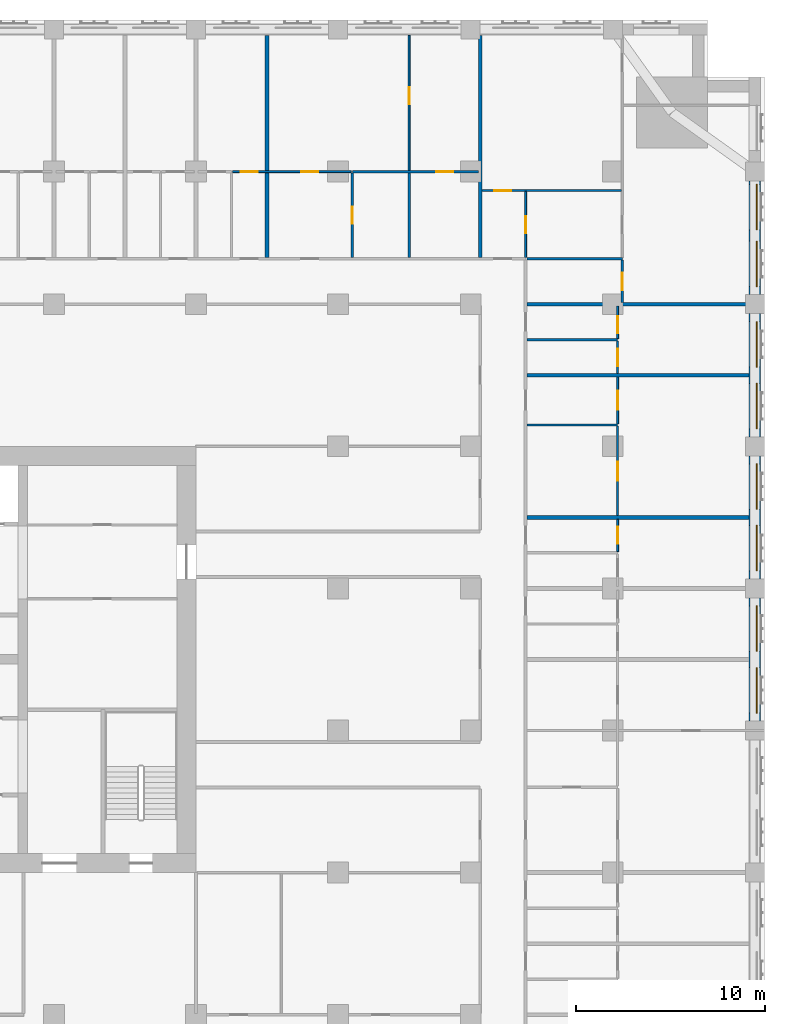
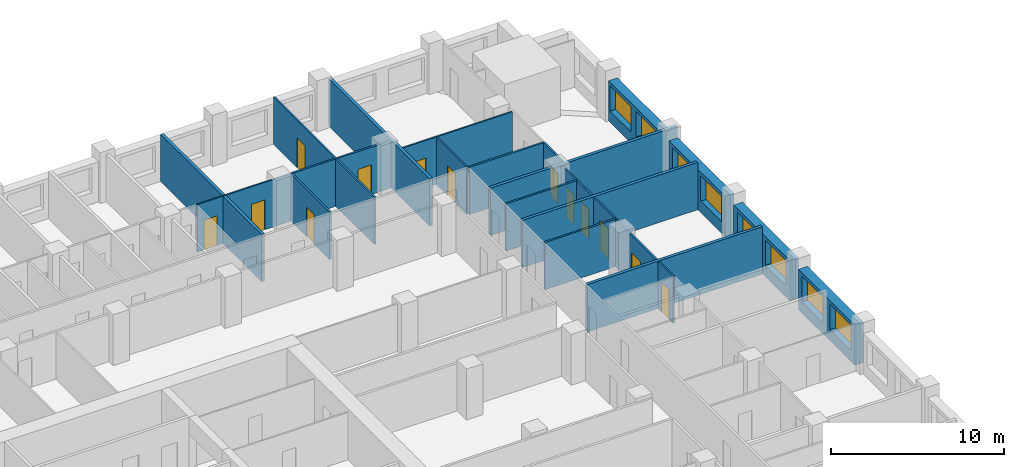
# One storey, part 11 of 15: 25 walls, 13 doors, 8 windows, 21 openings.
"""IFC4 building model written with IfcOpenShell, lengths in metres."""

from ifc_helpers import new_model, si_unit, direction, frame, frame_2d, origin, place, context, subcontext, project, spatial, rectangle, extrude, material, layer, layer_set, type_object, element, fill, save


model = new_model("IFC4")

# Units and contexts
model_context = context("Model", 3, precision=1e-05, world=origin(), true_north=direction((0.0, 1.0)))
body_context = subcontext(model_context, "Body", "Model", "MODEL_VIEW")
ifc_project = project(units=[si_unit("LENGTHUNIT", "METRE"), si_unit("AREAUNIT", "SQUARE_METRE"), si_unit("VOLUMEUNIT", "CUBIC_METRE"), si_unit("PLANEANGLEUNIT", "RADIAN"), si_unit("MASSUNIT", "GRAM", prefix="KILO")], contexts=[model_context])

# Site, building, storey
site_placement = place(None, origin())
site = spatial("IfcSite", under=ifc_project, at=site_placement, CompositionType="ELEMENT")
building_placement = place(site_placement, origin())
building = spatial("IfcBuilding", under=site, at=building_placement, Name="Tamorin Gate", CompositionType="ELEMENT")
storey_placement = place(building_placement, frame((0.0, 0.0, 82.699951171875)))
storey = spatial("IfcBuildingStorey", under=building, at=storey_placement, Name="L19", CompositionType="ELEMENT", Elevation=82.699951171875)

# Wall, openings, windows
ifc_material_1 = material(Name="Precast concrete C40/50", Category="concrete")
ifc_layer_1 = layer(ifc_material_1, 0.60009765625)
ifc_layer_set_1 = layer_set([ifc_layer_1], Name="Precast concrete C40/50")
wall_type_1 = type_object("IfcWallType", Name="Board-marked concrete facade panel 600", PredefinedType="SOLIDWALL", material=ifc_layer_set_1)
wall_1_placement = place(storey_placement, frame((89.5, 68.0, 0.0), z_axis=(0.0, 0.0, 1.0), x_axis=(0.0, 1.0, 0.0)))
wall_1 = element("IfcWall", 1, at=wall_1_placement, inside=storey, type_object=wall_type_1, Name="Facade panel", PredefinedType="SOLIDWALL", context=body_context, shape_type="SweptSolid", body=[
    extrude(rectangle(XDim=6.5, YDim=0.60009765625, at=frame_2d((3.25, 0.0))), origin(), (0.0, 0.0, 1.0), 2.85009765625),
])
opening_1_placement = place(wall_1_placement, frame((0.425048828125, 0.0, 0.800048828125)))
opening_1 = element("IfcOpeningElement", 2, at=opening_1_placement, cuts=wall_1, Name="Opening WN1", PredefinedType="OPENING", context=body_context, shape_type="SweptSolid", body=[
    extrude(rectangle(XDim=2.39990234375, YDim=1.800048828125, at=frame_2d((1.199951171875, 0.89990234375))), frame((0.0, 0.31005859375, 0.0), z_axis=(0.0, -1.0, 0.0), x_axis=(1.0, 0.0, 0.0)), (0.0, 0.0, 1.0), 0.6201171875),
])
opening_2_placement = place(wall_1_placement, frame((3.675048828125, 0.0, 0.800048828125)))
opening_2 = element("IfcOpeningElement", 3, at=opening_2_placement, cuts=wall_1, Name="Opening WN1", PredefinedType="OPENING", context=body_context, shape_type="SweptSolid", body=[
    extrude(rectangle(XDim=2.39990234375, YDim=1.800048828125, at=frame_2d((1.199951171875, 0.89990234375))), frame((0.0, 0.31005859375, 0.0), z_axis=(0.0, -1.0, 0.0), x_axis=(1.0, 0.0, 0.0)), (0.0, 0.0, 1.0), 0.6201171875),
])
ifc_material_2 = material(Name="Clear glass in aluminium frame", Category="aluminium")
window_type = type_object("IfcWindowType", Name="Deep-set window 2400x1800", PartitioningType="SINGLE_PANEL", PredefinedType="WINDOW", material=ifc_material_2)
window_1_placement = place(opening_1_placement, origin())
window_1 = element("IfcWindow", 4, at=window_1_placement, inside=storey, type_object=window_type, Name="Deep-set window", OverallHeight=1.800048828125, OverallWidth=2.39990234375, PartitioningType="SINGLE_PANEL", PredefinedType="WINDOW", context=body_context, shape_type="SweptSolid", body=[
    extrude(rectangle(XDim=2.39990234375, YDim=1.800048828125, at=frame_2d((1.199951171875, 0.89990234375))), frame((0.0, -0.070068359375, 0.0), z_axis=(0.0, -1.0, 0.0), x_axis=(1.0, 0.0, 0.0)), (0.0, 0.0, 1.0), 0.06005859375),
])
fill(opening_1, window_1)
window_2_placement = place(opening_2_placement, origin())
window_2 = element("IfcWindow", 5, at=window_2_placement, inside=storey, type_object=window_type, Name="Deep-set window", OverallHeight=1.800048828125, OverallWidth=2.39990234375, PartitioningType="SINGLE_PANEL", PredefinedType="WINDOW", context=body_context, shape_type="SweptSolid", body=[
    extrude(rectangle(XDim=2.39990234375, YDim=1.800048828125, at=frame_2d((1.199951171875, 0.89990234375))), frame((0.0, -0.070068359375, 0.0), z_axis=(0.0, -1.0, 0.0), x_axis=(1.0, 0.0, 0.0)), (0.0, 0.0, 1.0), 0.06005859375),
])
fill(opening_2, window_2)

wall_2_placement = place(storey_placement, frame((89.5, 75.5, 0.0), z_axis=(0.0, 0.0, 1.0), x_axis=(0.0, 1.0, 0.0)))
wall_2 = element("IfcWall", 6, at=wall_2_placement, inside=storey, type_object=wall_type_1, Name="Facade panel", PredefinedType="SOLIDWALL", context=body_context, shape_type="SweptSolid", body=[
    extrude(rectangle(XDim=6.5, YDim=0.60009765625, at=frame_2d((3.25, 0.0))), origin(), (0.0, 0.0, 1.0), 2.85009765625),
])
opening_3_placement = place(wall_2_placement, frame((0.425048828125, 0.0, 0.800048828125)))
opening_3 = element("IfcOpeningElement", 7, at=opening_3_placement, cuts=wall_2, Name="Opening WN1", PredefinedType="OPENING", context=body_context, shape_type="SweptSolid", body=[
    extrude(rectangle(XDim=2.39990234375, YDim=1.800048828125, at=frame_2d((1.199951171875, 0.89990234375))), frame((0.0, 0.31005859375, 0.0), z_axis=(0.0, -1.0, 0.0), x_axis=(1.0, 0.0, 0.0)), (0.0, 0.0, 1.0), 0.6201171875),
])
opening_4_placement = place(wall_2_placement, frame((3.675048828125, 0.0, 0.800048828125)))
opening_4 = element("IfcOpeningElement", 8, at=opening_4_placement, cuts=wall_2, Name="Opening WN1", PredefinedType="OPENING", context=body_context, shape_type="SweptSolid", body=[
    extrude(rectangle(XDim=2.39990234375, YDim=1.800048828125, at=frame_2d((1.199951171875, 0.89990234375))), frame((0.0, 0.31005859375, 0.0), z_axis=(0.0, -1.0, 0.0), x_axis=(1.0, 0.0, 0.0)), (0.0, 0.0, 1.0), 0.6201171875),
])
window_3_placement = place(opening_3_placement, origin())
window_3 = element("IfcWindow", 9, at=window_3_placement, inside=storey, type_object=window_type, Name="Deep-set window", OverallHeight=1.800048828125, OverallWidth=2.39990234375, PartitioningType="SINGLE_PANEL", PredefinedType="WINDOW", context=body_context, shape_type="SweptSolid", body=[
    extrude(rectangle(XDim=2.39990234375, YDim=1.800048828125, at=frame_2d((1.199951171875, 0.89990234375))), frame((0.0, -0.070068359375, 0.0), z_axis=(0.0, -1.0, 0.0), x_axis=(1.0, 0.0, 0.0)), (0.0, 0.0, 1.0), 0.06005859375),
])
fill(opening_3, window_3)
window_4_placement = place(opening_4_placement, origin())
window_4 = element("IfcWindow", 10, at=window_4_placement, inside=storey, type_object=window_type, Name="Deep-set window", OverallHeight=1.800048828125, OverallWidth=2.39990234375, PartitioningType="SINGLE_PANEL", PredefinedType="WINDOW", context=body_context, shape_type="SweptSolid", body=[
    extrude(rectangle(XDim=2.39990234375, YDim=1.800048828125, at=frame_2d((1.199951171875, 0.89990234375))), frame((0.0, -0.070068359375, 0.0), z_axis=(0.0, -1.0, 0.0), x_axis=(1.0, 0.0, 0.0)), (0.0, 0.0, 1.0), 0.06005859375),
])
fill(opening_4, window_4)

wall_3_placement = place(storey_placement, frame((89.5, 83.0, 0.0), z_axis=(0.0, 0.0, 1.0), x_axis=(0.0, 1.0, 0.0)))
wall_3 = element("IfcWall", 11, at=wall_3_placement, inside=storey, type_object=wall_type_1, Name="Facade panel", PredefinedType="SOLIDWALL", context=body_context, shape_type="SweptSolid", body=[
    extrude(rectangle(XDim=6.5, YDim=0.60009765625, at=frame_2d((3.25, 0.0))), origin(), (0.0, 0.0, 1.0), 2.85009765625),
])
opening_5_placement = place(wall_3_placement, frame((0.425048828125, 0.0, 0.800048828125)))
opening_5 = element("IfcOpeningElement", 12, at=opening_5_placement, cuts=wall_3, Name="Opening WN1", PredefinedType="OPENING", context=body_context, shape_type="SweptSolid", body=[
    extrude(rectangle(XDim=2.39990234375, YDim=1.800048828125, at=frame_2d((1.199951171875, 0.89990234375))), frame((0.0, 0.31005859375, 0.0), z_axis=(0.0, -1.0, 0.0), x_axis=(1.0, 0.0, 0.0)), (0.0, 0.0, 1.0), 0.6201171875),
])
opening_6_placement = place(wall_3_placement, frame((3.675048828125, 0.0, 0.800048828125)))
opening_6 = element("IfcOpeningElement", 13, at=opening_6_placement, cuts=wall_3, Name="Opening WN1", PredefinedType="OPENING", context=body_context, shape_type="SweptSolid", body=[
    extrude(rectangle(XDim=2.39990234375, YDim=1.800048828125, at=frame_2d((1.199951171875, 0.89990234375))), frame((0.0, 0.31005859375, 0.0), z_axis=(0.0, -1.0, 0.0), x_axis=(1.0, 0.0, 0.0)), (0.0, 0.0, 1.0), 0.6201171875),
])
window_5_placement = place(opening_5_placement, origin())
window_5 = element("IfcWindow", 14, at=window_5_placement, inside=storey, type_object=window_type, Name="Deep-set window", OverallHeight=1.800048828125, OverallWidth=2.39990234375, PartitioningType="SINGLE_PANEL", PredefinedType="WINDOW", context=body_context, shape_type="SweptSolid", body=[
    extrude(rectangle(XDim=2.39990234375, YDim=1.800048828125, at=frame_2d((1.199951171875, 0.89990234375))), frame((0.0, -0.070068359375, 0.0), z_axis=(0.0, -1.0, 0.0), x_axis=(1.0, 0.0, 0.0)), (0.0, 0.0, 1.0), 0.06005859375),
])
fill(opening_5, window_5)
window_6_placement = place(opening_6_placement, origin())
window_6 = element("IfcWindow", 15, at=window_6_placement, inside=storey, type_object=window_type, Name="Deep-set window", OverallHeight=1.800048828125, OverallWidth=2.39990234375, PartitioningType="SINGLE_PANEL", PredefinedType="WINDOW", context=body_context, shape_type="SweptSolid", body=[
    extrude(rectangle(XDim=2.39990234375, YDim=1.800048828125, at=frame_2d((1.199951171875, 0.89990234375))), frame((0.0, -0.070068359375, 0.0), z_axis=(0.0, -1.0, 0.0), x_axis=(1.0, 0.0, 0.0)), (0.0, 0.0, 1.0), 0.06005859375),
])
fill(opening_6, window_6)

wall_4_placement = place(storey_placement, frame((89.5, 90.5, 0.0), z_axis=(0.0, 0.0, 1.0), x_axis=(0.0, 1.0, 0.0)))
wall_4 = element("IfcWall", 16, at=wall_4_placement, inside=storey, type_object=wall_type_1, Name="Facade panel", PredefinedType="SOLIDWALL", context=body_context, shape_type="SweptSolid", body=[
    extrude(rectangle(XDim=6.0, YDim=0.60009765625, at=frame_2d((3.0, 0.0))), origin(), (0.0, 0.0, 1.0), 2.85009765625),
])
opening_7_placement = place(wall_4_placement, frame((0.425048828125, 0.0, 0.800048828125)))
opening_7 = element("IfcOpeningElement", 17, at=opening_7_placement, cuts=wall_4, Name="Opening WN1", PredefinedType="OPENING", context=body_context, shape_type="SweptSolid", body=[
    extrude(rectangle(XDim=2.39990234375, YDim=1.800048828125, at=frame_2d((1.199951171875, 0.89990234375))), frame((0.0, 0.31005859375, 0.0), z_axis=(0.0, -1.0, 0.0), x_axis=(1.0, 0.0, 0.0)), (0.0, 0.0, 1.0), 0.6201171875),
])
opening_8_placement = place(wall_4_placement, frame((3.425048828125, 0.0, 0.800048828125)))
opening_8 = element("IfcOpeningElement", 18, at=opening_8_placement, cuts=wall_4, Name="Opening WN1", PredefinedType="OPENING", context=body_context, shape_type="SweptSolid", body=[
    extrude(rectangle(XDim=2.39990234375, YDim=1.800048828125, at=frame_2d((1.199951171875, 0.89990234375))), frame((0.0, 0.31005859375, 0.0), z_axis=(0.0, -1.0, 0.0), x_axis=(1.0, 0.0, 0.0)), (0.0, 0.0, 1.0), 0.6201171875),
])
window_7_placement = place(opening_7_placement, origin())
window_7 = element("IfcWindow", 19, at=window_7_placement, inside=storey, type_object=window_type, Name="Deep-set window", OverallHeight=1.800048828125, OverallWidth=2.39990234375, PartitioningType="SINGLE_PANEL", PredefinedType="WINDOW", context=body_context, shape_type="SweptSolid", body=[
    extrude(rectangle(XDim=2.39990234375, YDim=1.800048828125, at=frame_2d((1.199951171875, 0.89990234375))), frame((0.0, -0.070068359375, 0.0), z_axis=(0.0, -1.0, 0.0), x_axis=(1.0, 0.0, 0.0)), (0.0, 0.0, 1.0), 0.06005859375),
])
fill(opening_7, window_7)
window_8_placement = place(opening_8_placement, origin())
window_8 = element("IfcWindow", 20, at=window_8_placement, inside=storey, type_object=window_type, Name="Deep-set window", OverallHeight=1.800048828125, OverallWidth=2.39990234375, PartitioningType="SINGLE_PANEL", PredefinedType="WINDOW", context=body_context, shape_type="SweptSolid", body=[
    extrude(rectangle(XDim=2.39990234375, YDim=1.800048828125, at=frame_2d((1.199951171875, 0.89990234375))), frame((0.0, -0.070068359375, 0.0), z_axis=(0.0, -1.0, 0.0), x_axis=(1.0, 0.0, 0.0)), (0.0, 0.0, 1.0), 0.06005859375),
])
fill(opening_8, window_8)

# Walls
ifc_material_3 = material(Name="Gypsum board partition")
ifc_layer_2 = layer(ifc_material_3, 0.199951171875)
ifc_layer_set_2 = layer_set([ifc_layer_2], Name="Demising wall 200")
wall_type_2 = type_object("IfcWallType", Name="Demising wall 200", PredefinedType="PARTITIONING", material=ifc_layer_set_2)
for number, where, z_axis, x_axis, name in (
    (21, (77.47509765625, 78.75, 0.0), (0.0, 0.0, 1.0), (1.0, 0.0, 0.0), "Demising wall 200"),
    (22, (77.47509765625, 86.25, 0.0), (0.0, 0.0, 1.0), (1.0, 0.0, 0.0), "Demising wall 200"),
):
    element("IfcWall", number, at=place(storey_placement, frame(where, z_axis=z_axis, x_axis=x_axis)), inside=storey, type_object=wall_type_2, Name=name, PredefinedType="PARTITIONING", context=body_context, shape_type="SweptSolid", body=[
        extrude(rectangle(XDim=11.71484375, YDim=0.199951171875, at=frame_2d((5.857421875, 0.0))), origin(), (0.0, 0.0, 1.0), 3.35009765625),
    ])
wall_5_placement = place(storey_placement, frame((77.47509765625, 90.0, 0.0), z_axis=(0.0, 0.0, 1.0), x_axis=(1.0, 0.0, 0.0)))
element("IfcWall", 23, at=wall_5_placement, inside=storey, type_object=wall_type_2, Name="Demising wall 200", PredefinedType="PARTITIONING", context=body_context, shape_type="SweptSolid", body=[
    extrude(rectangle(XDim=12.52490234375, YDim=0.199951171875, at=frame_2d((6.262451171875, 0.0))), origin(), (0.0, 0.0, 1.0), 3.35009765625),
])
for number, where, z_axis, x_axis, name in (
    (24, (63.75, 92.47509765625, 0.0), (0.0, 0.0, 1.0), (0.0, 1.0, 0.0), "Demising wall 200"),
    (25, (75.0, 92.47509765625, 0.0), (0.0, 0.0, 1.0), (0.0, 1.0, 0.0), "Demising wall 200"),
):
    element("IfcWall", number, at=place(storey_placement, frame(where, z_axis=z_axis, x_axis=x_axis)), inside=storey, type_object=wall_type_2, Name=name, PredefinedType="PARTITIONING", context=body_context, shape_type="SweptSolid", body=[
        extrude(rectangle(XDim=11.71484375, YDim=0.199951171875, at=frame_2d((5.857421875, 0.0))), origin(), (0.0, 0.0, 1.0), 3.35009765625),
    ])

# Wall, opening, door
ifc_layer_3 = layer(ifc_material_3, 0.10009765625)
ifc_layer_set_3 = layer_set([ifc_layer_3], Name="Room partition 100")
wall_type_3 = type_object("IfcWallType", Name="Room partition 100", PredefinedType="PARTITIONING", material=ifc_layer_set_3)
wall_6_placement = place(storey_placement, frame((75.10009765625, 96.0, 0.0), z_axis=(0.0, 0.0, 1.0), x_axis=(1.0, 0.0, 0.0)))
wall_6 = element("IfcWall", 26, at=wall_6_placement, inside=storey, type_object=wall_type_3, Name="Room partition 100", PredefinedType="PARTITIONING", context=body_context, shape_type="SweptSolid", body=[
    extrude(rectangle(XDim=7.349853515625, YDim=0.10009765625, at=frame_2d((3.6748046875, 0.0))), origin(), (0.0, 0.0, 1.0), 3.35009765625),
])
opening_9_placement = place(wall_6_placement, frame((0.64990234375, 0.0, 0.0)))
opening_9 = element("IfcOpeningElement", 27, at=opening_9_placement, cuts=wall_6, Name="Opening DH6081", PredefinedType="OPENING", context=body_context, shape_type="SweptSolid", body=[
    extrude(rectangle(XDim=0.89990234375, YDim=2.10009765625, at=frame_2d((0.449951171875, 1.050048828125))), frame((0.0, 0.06005859375, 0.0), z_axis=(0.0, -1.0, 0.0), x_axis=(1.0, 0.0, 0.0)), (0.0, 0.0, 1.0), 0.1201171875),
])
ifc_material_4 = material(Name="Timber door leaf", Category="wood")
door_type_1 = type_object("IfcDoorType", Name="Door 900 x 2100", OperationType="NOTDEFINED", PredefinedType="DOOR", material=ifc_material_4)
door_1_placement = place(opening_9_placement, origin())
door_1 = element("IfcDoor", 28, at=door_1_placement, inside=storey, type_object=door_type_1, Name="Door DH6081", OperationType="SINGLE_SWING_LEFT", OverallHeight=2.10009765625, OverallWidth=0.89990234375, PredefinedType="DOOR", context=body_context, shape_type="SweptSolid", body=[
    extrude(rectangle(XDim=0.89990234375, YDim=2.10009765625, at=frame_2d((0.449951171875, 1.050048828125))), frame((0.0, 0.02490234375, 0.0), z_axis=(0.0, -1.0, 0.0), x_axis=(1.0, 0.0, 0.0)), (0.0, 0.0, 1.0), 0.050048828125),
])
fill(opening_9, door_1)

# Wall, openings, doors
wall_7_placement = place(storey_placement, frame((61.9375, 97.0, 0.0), z_axis=(0.0, 0.0, 1.0), x_axis=(1.0, 0.0, 0.0)))
wall_7 = element("IfcWall", 29, at=wall_7_placement, inside=storey, type_object=wall_type_3, Name="Room partition 100", PredefinedType="PARTITIONING", context=body_context, shape_type="SweptSolid", body=[
    extrude(rectangle(XDim=6.25, YDim=0.10009765625, at=frame_2d((3.125, 0.0))), origin(), (0.0, 0.0, 1.0), 3.35009765625),
])
opening_10_placement = place(wall_7_placement, frame((0.425048828125, 0.0, 0.0)))
opening_10 = element("IfcOpeningElement", 30, at=opening_10_placement, cuts=wall_7, Name="Opening DH6045", PredefinedType="OPENING", context=body_context, shape_type="SweptSolid", body=[
    extrude(rectangle(XDim=0.89990234375, YDim=2.10009765625, at=frame_2d((0.449951171875, 1.050048828125))), frame((0.0, 0.06005859375, 0.0), z_axis=(0.0, -1.0, 0.0), x_axis=(1.0, 0.0, 0.0)), (0.0, 0.0, 1.0), 0.1201171875),
])
opening_11_placement = place(wall_7_placement, frame((3.612548828125, 0.0, 0.0)))
opening_11 = element("IfcOpeningElement", 31, at=opening_11_placement, cuts=wall_7, Name="Opening DH6047", PredefinedType="OPENING", context=body_context, shape_type="SweptSolid", body=[
    extrude(rectangle(XDim=0.89990234375, YDim=2.10009765625, at=frame_2d((0.449951171875, 1.050048828125))), frame((0.0, 0.06005859375, 0.0), z_axis=(0.0, -1.0, 0.0), x_axis=(1.0, 0.0, 0.0)), (0.0, 0.0, 1.0), 0.1201171875),
])
door_2_placement = place(opening_10_placement, origin())
door_2 = element("IfcDoor", 32, at=door_2_placement, inside=storey, type_object=door_type_1, Name="Door DH6045", OperationType="SINGLE_SWING_RIGHT", OverallHeight=2.10009765625, OverallWidth=0.89990234375, PredefinedType="DOOR", context=body_context, shape_type="SweptSolid", body=[
    extrude(rectangle(XDim=0.89990234375, YDim=2.10009765625, at=frame_2d((0.449951171875, 1.050048828125))), frame((0.0, 0.02490234375, 0.0), z_axis=(0.0, -1.0, 0.0), x_axis=(1.0, 0.0, 0.0)), (0.0, 0.0, 1.0), 0.050048828125),
])
fill(opening_10, door_2)
door_3_placement = place(opening_11_placement, origin())
door_3 = element("IfcDoor", 33, at=door_3_placement, inside=storey, type_object=door_type_1, Name="Door DH6047", OperationType="SINGLE_SWING_RIGHT", OverallHeight=2.10009765625, OverallWidth=0.89990234375, PredefinedType="DOOR", context=body_context, shape_type="SweptSolid", body=[
    extrude(rectangle(XDim=0.89990234375, YDim=2.10009765625, at=frame_2d((0.449951171875, 1.050048828125))), frame((0.0, 0.02490234375, 0.0), z_axis=(0.0, -1.0, 0.0), x_axis=(1.0, 0.0, 0.0)), (0.0, 0.0, 1.0), 0.050048828125),
])
fill(opening_11, door_3)

# Wall, opening, door
wall_8_placement = place(storey_placement, frame((71.25, 97.0625, 0.0), z_axis=(0.0, 0.0, 1.0), x_axis=(0.0, 1.0, 0.0)))
wall_8 = element("IfcWall", 34, at=wall_8_placement, inside=storey, type_object=wall_type_3, Name="Room partition 100", PredefinedType="PARTITIONING", context=body_context, shape_type="SweptSolid", body=[
    extrude(rectangle(XDim=7.12744140625, YDim=0.10009765625, at=frame_2d((3.563720703125, 0.0))), origin(), (0.0, 0.0, 1.0), 3.35009765625),
])
opening_12_placement = place(wall_8_placement, frame((3.487548828125, 0.0, 0.0)))
opening_12 = element("IfcOpeningElement", 35, at=opening_12_placement, cuts=wall_8, Name="Opening DH6050", PredefinedType="OPENING", context=body_context, shape_type="SweptSolid", body=[
    extrude(rectangle(XDim=0.89990234375, YDim=2.10009765625, at=frame_2d((0.449951171875, 1.050048828125))), frame((0.0, 0.06005859375, 0.0), z_axis=(0.0, -1.0, 0.0), x_axis=(1.0, 0.0, 0.0)), (0.0, 0.0, 1.0), 0.1201171875),
])
door_4_placement = place(opening_12_placement, origin())
door_4 = element("IfcDoor", 36, at=door_4_placement, inside=storey, type_object=door_type_1, Name="Door DH6050", OperationType="SINGLE_SWING_LEFT", OverallHeight=2.10009765625, OverallWidth=0.89990234375, PredefinedType="DOOR", context=body_context, shape_type="SweptSolid", body=[
    extrude(rectangle(XDim=0.89990234375, YDim=2.10009765625, at=frame_2d((0.449951171875, 1.050048828125))), frame((0.0, 0.02490234375, 0.0), z_axis=(0.0, -1.0, 0.0), x_axis=(1.0, 0.0, 0.0)), (0.0, 0.0, 1.0), 0.050048828125),
])
fill(opening_12, door_4)

wall_9_placement = place(storey_placement, frame((77.39990234375, 92.47509765625, 0.0), z_axis=(0.0, 0.0, 1.0), x_axis=(0.0, 1.0, 0.0)))
wall_9 = element("IfcWall", 37, at=wall_9_placement, inside=storey, type_object=wall_type_3, Name="Room partition 100", PredefinedType="PARTITIONING", context=body_context, shape_type="SweptSolid", body=[
    extrude(rectangle(XDim=3.474853515625, YDim=0.10009765625, at=frame_2d((1.7373046875, 0.0))), origin(), (0.0, 0.0, 1.0), 3.35009765625),
])
opening_13_placement = place(wall_9_placement, frame((1.27490234375, 0.0, 0.0)))
opening_13 = element("IfcOpeningElement", 38, at=opening_13_placement, cuts=wall_9, Name="Opening DH6082", PredefinedType="OPENING", context=body_context, shape_type="SweptSolid", body=[
    extrude(rectangle(XDim=0.89990234375, YDim=2.10009765625, at=frame_2d((0.449951171875, 1.050048828125))), frame((0.0, 0.06005859375, 0.0), z_axis=(0.0, -1.0, 0.0), x_axis=(1.0, 0.0, 0.0)), (0.0, 0.0, 1.0), 0.1201171875),
])
door_5_placement = place(opening_13_placement, origin())
door_5 = element("IfcDoor", 39, at=door_5_placement, inside=storey, type_object=door_type_1, Name="Door DH6082", OperationType="SINGLE_SWING_RIGHT", OverallHeight=2.10009765625, OverallWidth=0.89990234375, PredefinedType="DOOR", context=body_context, shape_type="SweptSolid", body=[
    extrude(rectangle(XDim=0.89990234375, YDim=2.10009765625, at=frame_2d((0.449951171875, 1.050048828125))), frame((0.0, 0.02490234375, 0.0), z_axis=(0.0, -1.0, 0.0), x_axis=(1.0, 0.0, 0.0)), (0.0, 0.0, 1.0), 0.050048828125),
])
fill(opening_13, door_5)

wall_10_placement = place(storey_placement, frame((82.25, 76.9375, 0.0), z_axis=(0.0, 0.0, 1.0), x_axis=(0.0, 1.0, 0.0)))
wall_10 = element("IfcWall", 40, at=wall_10_placement, inside=storey, type_object=wall_type_3, Name="Room partition 100", PredefinedType="PARTITIONING", context=body_context, shape_type="SweptSolid", body=[
    extrude(rectangle(XDim=1.71240234375, YDim=0.10009765625, at=frame_2d((0.856201171875, 0.0))), origin(), (0.0, 0.0, 1.0), 3.35009765625),
])
opening_14_placement = place(wall_10_placement, frame((0.425048828125, 0.0, 0.0)))
opening_14 = element("IfcOpeningElement", 41, at=opening_14_placement, cuts=wall_10, Name="Opening DH6067", PredefinedType="OPENING", context=body_context, shape_type="SweptSolid", body=[
    extrude(rectangle(XDim=0.89990234375, YDim=2.10009765625, at=frame_2d((0.449951171875, 1.050048828125))), frame((0.0, 0.06005859375, 0.0), z_axis=(0.0, -1.0, 0.0), x_axis=(1.0, 0.0, 0.0)), (0.0, 0.0, 1.0), 0.1201171875),
])
door_6_placement = place(opening_14_placement, origin())
door_6 = element("IfcDoor", 42, at=door_6_placement, inside=storey, type_object=door_type_1, Name="Door DH6067", OperationType="SINGLE_SWING_LEFT", OverallHeight=2.10009765625, OverallWidth=0.89990234375, PredefinedType="DOOR", context=body_context, shape_type="SweptSolid", body=[
    extrude(rectangle(XDim=0.89990234375, YDim=2.10009765625, at=frame_2d((0.449951171875, 1.050048828125))), frame((0.0, 0.02490234375, 0.0), z_axis=(0.0, -1.0, 0.0), x_axis=(1.0, 0.0, 0.0)), (0.0, 0.0, 1.0), 0.050048828125),
])
fill(opening_14, door_6)

wall_11_placement = place(storey_placement, frame((82.25, 83.6875, 0.0), z_axis=(0.0, 0.0, 1.0), x_axis=(0.0, 1.0, 0.0)))
wall_11 = element("IfcWall", 43, at=wall_11_placement, inside=storey, type_object=wall_type_3, Name="Room partition 100", PredefinedType="PARTITIONING", context=body_context, shape_type="SweptSolid", body=[
    extrude(rectangle(XDim=2.46240234375, YDim=0.10009765625, at=frame_2d((1.231201171875, 0.0))), origin(), (0.0, 0.0, 1.0), 3.35009765625),
])
opening_15_placement = place(wall_11_placement, frame((0.75, 0.0, 0.0)))
opening_15 = element("IfcOpeningElement", 44, at=opening_15_placement, cuts=wall_11, Name="Opening DH6070", PredefinedType="OPENING", context=body_context, shape_type="SweptSolid", body=[
    extrude(rectangle(XDim=1.0, YDim=2.10009765625, at=frame_2d((0.5, 1.050048828125))), frame((0.0, 0.06005859375, 0.0), z_axis=(0.0, -1.0, 0.0), x_axis=(1.0, 0.0, 0.0)), (0.0, 0.0, 1.0), 0.1201171875),
])
door_type_2 = type_object("IfcDoorType", Name="Door 1000 x 2100", OperationType="NOTDEFINED", PredefinedType="DOOR", material=ifc_material_4)
door_7_placement = place(opening_15_placement, origin())
door_7 = element("IfcDoor", 45, at=door_7_placement, inside=storey, type_object=door_type_2, Name="Door DH6070", OperationType="SINGLE_SWING_LEFT", OverallHeight=2.10009765625, OverallWidth=1.0, PredefinedType="DOOR", context=body_context, shape_type="SweptSolid", body=[
    extrude(rectangle(XDim=1.0, YDim=2.10009765625, at=frame_2d((0.5, 1.050048828125))), frame((0.0, 0.02490234375, 0.0), z_axis=(0.0, -1.0, 0.0), x_axis=(1.0, 0.0, 0.0)), (0.0, 0.0, 1.0), 0.050048828125),
])
fill(opening_15, door_7)

wall_12_placement = place(storey_placement, frame((82.25, 88.1875, 0.0), z_axis=(0.0, 0.0, 1.0), x_axis=(0.0, 1.0, 0.0)))
wall_12 = element("IfcWall", 46, at=wall_12_placement, inside=storey, type_object=wall_type_3, Name="Room partition 100", PredefinedType="PARTITIONING", context=body_context, shape_type="SweptSolid", body=[
    extrude(rectangle(XDim=1.71240234375, YDim=0.10009765625, at=frame_2d((0.856201171875, 0.0))), origin(), (0.0, 0.0, 1.0), 3.35009765625),
])
opening_16_placement = place(wall_12_placement, frame((0.27490234375, 0.0, 0.0)))
opening_16 = element("IfcOpeningElement", 47, at=opening_16_placement, cuts=wall_12, Name="Opening DH6073", PredefinedType="OPENING", context=body_context, shape_type="SweptSolid", body=[
    extrude(rectangle(XDim=0.89990234375, YDim=2.10009765625, at=frame_2d((0.449951171875, 1.050048828125))), frame((0.0, 0.06005859375, 0.0), z_axis=(0.0, -1.0, 0.0), x_axis=(1.0, 0.0, 0.0)), (0.0, 0.0, 1.0), 0.1201171875),
])
door_8_placement = place(opening_16_placement, origin())
door_8 = element("IfcDoor", 48, at=door_8_placement, inside=storey, type_object=door_type_1, Name="Door DH6073", OperationType="SINGLE_SWING_LEFT", OverallHeight=2.10009765625, OverallWidth=0.89990234375, PredefinedType="DOOR", context=body_context, shape_type="SweptSolid", body=[
    extrude(rectangle(XDim=0.89990234375, YDim=2.10009765625, at=frame_2d((0.449951171875, 1.050048828125))), frame((0.0, 0.02490234375, 0.0), z_axis=(0.0, -1.0, 0.0), x_axis=(1.0, 0.0, 0.0)), (0.0, 0.0, 1.0), 0.050048828125),
])
fill(opening_16, door_8)

# Walls
ifc_layer_4 = layer(ifc_material_3, 0.125)
ifc_layer_set_4 = layer_set([ifc_layer_4], Name="Wet wall 125")
wall_type_4 = type_object("IfcWallType", Name="Wet wall 125", PredefinedType="PARTITIONING", material=ifc_layer_set_4)
for number, where, z_axis, x_axis, name in (
    (49, (77.47509765625, 83.625, 0.0), (0.0, 0.0, 1.0), (1.0, 0.0, 0.0), "Wet wall 125"),
    (50, (77.47509765625, 88.125, 0.0), (0.0, 0.0, 1.0), (1.0, 0.0, 0.0), "Wet wall 125"),
):
    element("IfcWall", number, at=place(storey_placement, frame(where, z_axis=z_axis, x_axis=x_axis)), inside=storey, type_object=wall_type_4, Name=name, PredefinedType="PARTITIONING", context=body_context, shape_type="SweptSolid", body=[
        extrude(rectangle(XDim=4.77490234375, YDim=0.125, at=frame_2d((2.387451171875, 0.0))), origin(), (0.0, 0.0, 1.0), 3.35009765625),
    ])
wall_13_placement = place(storey_placement, frame((77.47509765625, 92.39990234375, 0.0), z_axis=(0.0, 0.0, 1.0), x_axis=(1.0, 0.0, 0.0)))
element("IfcWall", 51, at=wall_13_placement, inside=storey, type_object=wall_type_4, Name="Wet wall 125", PredefinedType="PARTITIONING", context=body_context, shape_type="SweptSolid", body=[
    extrude(rectangle(XDim=5.02490234375, YDim=0.125, at=frame_2d((2.512451171875, 0.0))), origin(), (0.0, 0.0, 1.0), 3.35009765625),
])

# Wall, opening, door
wall_14_placement = place(storey_placement, frame((68.25, 97.0, 0.0), z_axis=(0.0, 0.0, 1.0), x_axis=(1.0, 0.0, 0.0)))
wall_14 = element("IfcWall", 52, at=wall_14_placement, inside=storey, type_object=wall_type_4, Name="Wet wall 125", PredefinedType="PARTITIONING", context=body_context, shape_type="SweptSolid", body=[
    extrude(rectangle(XDim=6.64990234375, YDim=0.125, at=frame_2d((3.324951171875, 0.0))), origin(), (0.0, 0.0, 1.0), 3.35009765625),
])
opening_17_placement = place(wall_14_placement, frame((4.425048828125, 0.0, 0.0)))
opening_17 = element("IfcOpeningElement", 53, at=opening_17_placement, cuts=wall_14, Name="Opening DH6049", PredefinedType="OPENING", context=body_context, shape_type="SweptSolid", body=[
    extrude(rectangle(XDim=0.89990234375, YDim=2.10009765625, at=frame_2d((0.449951171875, 1.050048828125))), frame((0.0, 0.072509765625, 0.0), z_axis=(0.0, -1.0, 0.0), x_axis=(1.0, 0.0, 0.0)), (0.0, 0.0, 1.0), 0.14501953125),
])
door_9_placement = place(opening_17_placement, origin())
door_9 = element("IfcDoor", 54, at=door_9_placement, inside=storey, type_object=door_type_1, Name="Door DH6049", OperationType="SINGLE_SWING_RIGHT", OverallHeight=2.10009765625, OverallWidth=0.89990234375, PredefinedType="DOOR", context=body_context, shape_type="SweptSolid", body=[
    extrude(rectangle(XDim=0.89990234375, YDim=2.10009765625, at=frame_2d((0.449951171875, 1.050048828125))), frame((0.0, 0.02490234375, 0.0), z_axis=(0.0, -1.0, 0.0), x_axis=(1.0, 0.0, 0.0)), (0.0, 0.0, 1.0), 0.050048828125),
])
fill(opening_17, door_9)

wall_15_placement = place(storey_placement, frame((68.25, 92.47509765625, 0.0), z_axis=(0.0, 0.0, 1.0), x_axis=(0.0, 1.0, 0.0)))
wall_15 = element("IfcWall", 55, at=wall_15_placement, inside=storey, type_object=wall_type_4, Name="Wet wall 125", PredefinedType="PARTITIONING", context=body_context, shape_type="SweptSolid", body=[
    extrude(rectangle(XDim=4.46240234375, YDim=0.125, at=frame_2d((2.231201171875, 0.0))), origin(), (0.0, 0.0, 1.0), 3.35009765625),
])
opening_18_placement = place(wall_15_placement, frame((1.77490234375, 0.0, 0.0)))
opening_18 = element("IfcOpeningElement", 56, at=opening_18_placement, cuts=wall_15, Name="Opening DH6048", PredefinedType="OPENING", context=body_context, shape_type="SweptSolid", body=[
    extrude(rectangle(XDim=0.89990234375, YDim=2.10009765625, at=frame_2d((0.449951171875, 1.050048828125))), frame((0.0, 0.072509765625, 0.0), z_axis=(0.0, -1.0, 0.0), x_axis=(1.0, 0.0, 0.0)), (0.0, 0.0, 1.0), 0.14501953125),
])
door_10_placement = place(opening_18_placement, origin())
door_10 = element("IfcDoor", 57, at=door_10_placement, inside=storey, type_object=door_type_1, Name="Door DH6048", OperationType="SINGLE_SWING_LEFT", OverallHeight=2.10009765625, OverallWidth=0.89990234375, PredefinedType="DOOR", context=body_context, shape_type="SweptSolid", body=[
    extrude(rectangle(XDim=0.89990234375, YDim=2.10009765625, at=frame_2d((0.449951171875, 1.050048828125))), frame((0.0, 0.02490234375, 0.0), z_axis=(0.0, -1.0, 0.0), x_axis=(1.0, 0.0, 0.0)), (0.0, 0.0, 1.0), 0.050048828125),
])
fill(opening_18, door_10)

# Wall
wall_16_placement = place(storey_placement, frame((71.25, 92.47509765625, 0.0), z_axis=(0.0, 0.0, 1.0), x_axis=(0.0, 1.0, 0.0)))
element("IfcWall", 58, at=wall_16_placement, inside=storey, type_object=wall_type_4, Name="Wet wall 125", PredefinedType="PARTITIONING", context=body_context, shape_type="SweptSolid", body=[
    extrude(rectangle(XDim=4.46240234375, YDim=0.125, at=frame_2d((2.231201171875, 0.0))), origin(), (0.0, 0.0, 1.0), 3.35009765625),
])

# Wall, opening, door
wall_17_placement = place(storey_placement, frame((82.25, 78.85009765625, 0.0), z_axis=(0.0, 0.0, 1.0), x_axis=(0.0, 1.0, 0.0)))
wall_17 = element("IfcWall", 59, at=wall_17_placement, inside=storey, type_object=wall_type_4, Name="Wet wall 125", PredefinedType="PARTITIONING", context=body_context, shape_type="SweptSolid", body=[
    extrude(rectangle(XDim=4.71240234375, YDim=0.125, at=frame_2d((2.356201171875, 0.0))), origin(), (0.0, 0.0, 1.0), 3.35009765625),
])
opening_19_placement = place(wall_17_placement, frame((1.83740234375, 0.0, 0.0)))
opening_19 = element("IfcOpeningElement", 60, at=opening_19_placement, cuts=wall_17, Name="Opening DH6068", PredefinedType="OPENING", context=body_context, shape_type="SweptSolid", body=[
    extrude(rectangle(XDim=1.0, YDim=2.10009765625, at=frame_2d((0.5, 1.050048828125))), frame((0.0, 0.072509765625, 0.0), z_axis=(0.0, -1.0, 0.0), x_axis=(1.0, 0.0, 0.0)), (0.0, 0.0, 1.0), 0.14501953125),
])
door_11_placement = place(opening_19_placement, origin())
door_11 = element("IfcDoor", 61, at=door_11_placement, inside=storey, type_object=door_type_2, Name="Door DH6068", OperationType="SINGLE_SWING_LEFT", OverallHeight=2.10009765625, OverallWidth=1.0, PredefinedType="DOOR", context=body_context, shape_type="SweptSolid", body=[
    extrude(rectangle(XDim=1.0, YDim=2.10009765625, at=frame_2d((0.5, 1.050048828125))), frame((0.0, 0.02490234375, 0.0), z_axis=(0.0, -1.0, 0.0), x_axis=(1.0, 0.0, 0.0)), (0.0, 0.0, 1.0), 0.050048828125),
])
fill(opening_19, door_11)

wall_18_placement = place(storey_placement, frame((82.25, 86.35009765625, 0.0), z_axis=(0.0, 0.0, 1.0), x_axis=(0.0, 1.0, 0.0)))
wall_18 = element("IfcWall", 62, at=wall_18_placement, inside=storey, type_object=wall_type_4, Name="Wet wall 125", PredefinedType="PARTITIONING", context=body_context, shape_type="SweptSolid", body=[
    extrude(rectangle(XDim=1.71240234375, YDim=0.125, at=frame_2d((0.856201171875, 0.0))), origin(), (0.0, 0.0, 1.0), 3.35009765625),
])
opening_20_placement = place(wall_18_placement, frame((0.387451171875, 0.0, 0.0)))
opening_20 = element("IfcOpeningElement", 63, at=opening_20_placement, cuts=wall_18, Name="Opening DH6071", PredefinedType="OPENING", context=body_context, shape_type="SweptSolid", body=[
    extrude(rectangle(XDim=0.89990234375, YDim=2.10009765625, at=frame_2d((0.449951171875, 1.050048828125))), frame((0.0, 0.072509765625, 0.0), z_axis=(0.0, -1.0, 0.0), x_axis=(1.0, 0.0, 0.0)), (0.0, 0.0, 1.0), 0.14501953125),
])
door_12_placement = place(opening_20_placement, origin())
door_12 = element("IfcDoor", 64, at=door_12_placement, inside=storey, type_object=door_type_1, Name="Door DH6071", OperationType="SINGLE_SWING_LEFT", OverallHeight=2.10009765625, OverallWidth=0.89990234375, PredefinedType="DOOR", context=body_context, shape_type="SweptSolid", body=[
    extrude(rectangle(XDim=0.89990234375, YDim=2.10009765625, at=frame_2d((0.449951171875, 1.050048828125))), frame((0.0, 0.02490234375, 0.0), z_axis=(0.0, -1.0, 0.0), x_axis=(1.0, 0.0, 0.0)), (0.0, 0.0, 1.0), 0.050048828125),
])
fill(opening_20, door_12)

wall_19_placement = place(storey_placement, frame((82.5, 90.10009765625, 0.0), z_axis=(0.0, 0.0, 1.0), x_axis=(0.0, 1.0, 0.0)))
wall_19 = element("IfcWall", 65, at=wall_19_placement, inside=storey, type_object=wall_type_4, Name="Wet wall 125", PredefinedType="PARTITIONING", context=body_context, shape_type="SweptSolid", body=[
    extrude(rectangle(XDim=2.2373046875, YDim=0.125, at=frame_2d((1.11865234375, 0.0))), origin(), (0.0, 0.0, 1.0), 3.35009765625),
])
opening_21_placement = place(wall_19_placement, frame((0.64990234375, 0.0, 0.0)))
opening_21 = element("IfcOpeningElement", 66, at=opening_21_placement, cuts=wall_19, Name="Opening DH6085", PredefinedType="OPENING", context=body_context, shape_type="SweptSolid", body=[
    extrude(rectangle(XDim=0.89990234375, YDim=2.10009765625, at=frame_2d((0.449951171875, 1.050048828125))), frame((0.0, 0.072509765625, 0.0), z_axis=(0.0, -1.0, 0.0), x_axis=(1.0, 0.0, 0.0)), (0.0, 0.0, 1.0), 0.14501953125),
])
door_13_placement = place(opening_21_placement, origin())
door_13 = element("IfcDoor", 67, at=door_13_placement, inside=storey, type_object=door_type_1, Name="Door DH6085", OperationType="SINGLE_SWING_LEFT", OverallHeight=2.10009765625, OverallWidth=0.89990234375, PredefinedType="DOOR", context=body_context, shape_type="SweptSolid", body=[
    extrude(rectangle(XDim=0.89990234375, YDim=2.10009765625, at=frame_2d((0.449951171875, 1.050048828125))), frame((0.0, 0.02490234375, 0.0), z_axis=(0.0, -1.0, 0.0), x_axis=(1.0, 0.0, 0.0)), (0.0, 0.0, 1.0), 0.050048828125),
])
fill(opening_21, door_13)

save(model, "model.ifc")
